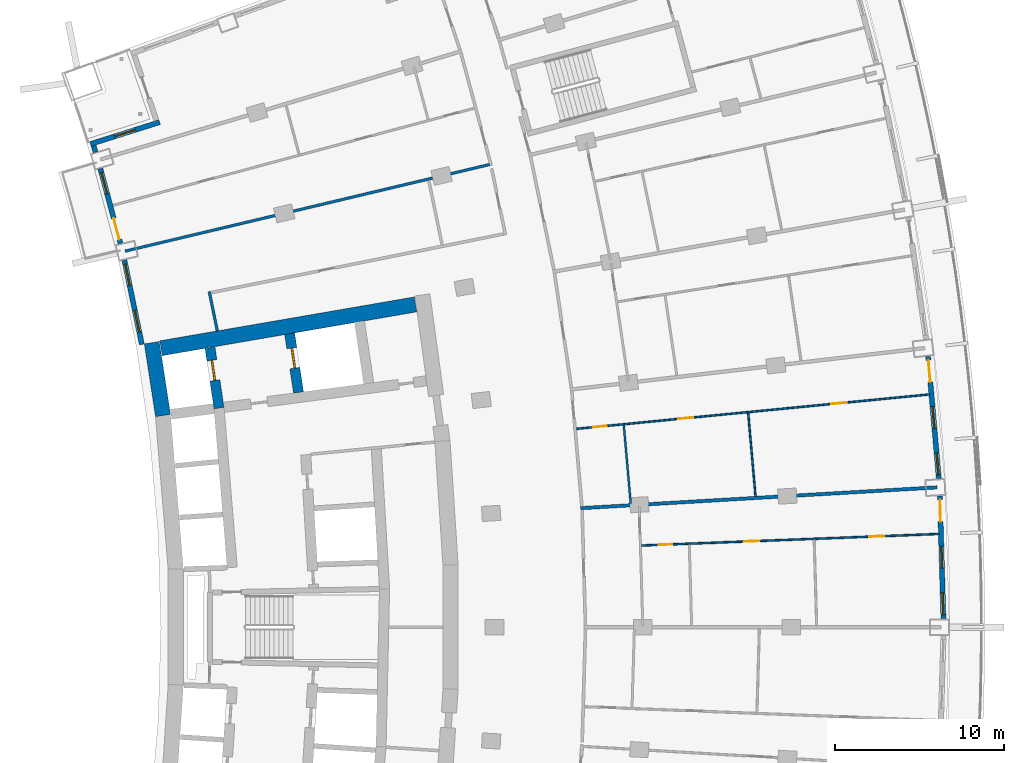
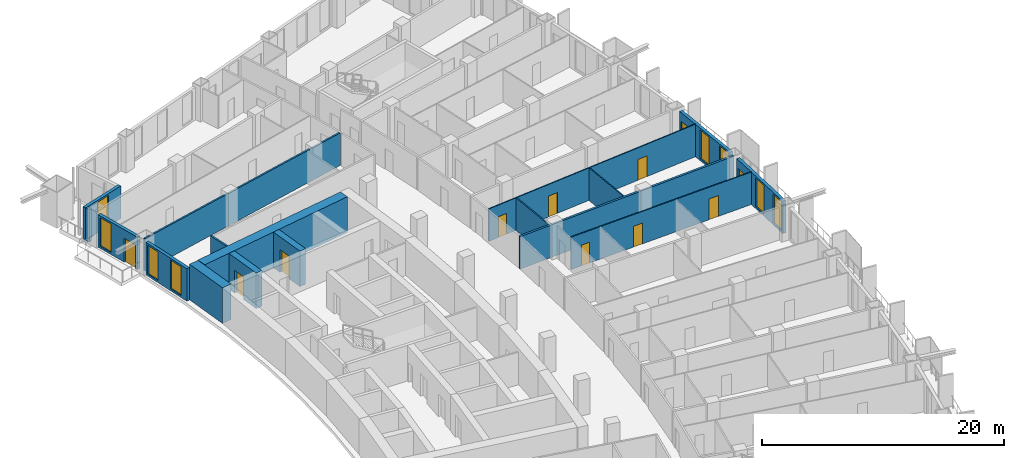
# One storey, part 16 of 23: 17 walls, 11 doors, 8 windows, 19 openings.
"""IFC4 building model written with IfcOpenShell, lengths in metres."""

from ifc_helpers import new_model, si_unit, direction, frame, frame_2d, origin, place, context, subcontext, project, spatial, rectangle, extrude, material, layer, layer_set, type_object, element, fill, save


model = new_model("IFC4")

# Units and contexts
model_context = context("Model", 3, precision=1e-05, world=origin(), true_north=direction((0.0, 1.0)))
body_context = subcontext(model_context, "Body", "Model", "MODEL_VIEW")
ifc_project = project(units=[si_unit("LENGTHUNIT", "METRE"), si_unit("AREAUNIT", "SQUARE_METRE"), si_unit("VOLUMEUNIT", "CUBIC_METRE"), si_unit("PLANEANGLEUNIT", "RADIAN"), si_unit("MASSUNIT", "GRAM", prefix="KILO")], contexts=[model_context])

# Site, building, storey
site_placement = place(None, origin())
site = spatial("IfcSite", under=ifc_project, at=site_placement, CompositionType="ELEMENT")
building_placement = place(site_placement, origin())
building = spatial("IfcBuilding", under=site, at=building_placement, Name="Alderwake Tower", CompositionType="ELEMENT")
storey_placement = place(building_placement, frame((0.0, 0.0, 71.60009765625)))
storey = spatial("IfcBuildingStorey", under=building, at=storey_placement, Name="L17", CompositionType="ELEMENT", Elevation=71.60009765625)

# Walls
ifc_material_1 = material(Name="Concrete C70/85", Category="concrete")
ifc_layer_1 = layer(ifc_material_1, 0.89990234375)
ifc_layer_set_1 = layer_set([ifc_layer_1], Name="Core wall outer 900 C70-85")
wall_type_1 = type_object("IfcWallType", Name="Core wall outer 900 C70-85", PredefinedType="SHEAR", material=ifc_layer_set_1)
wall_1_placement = place(storey_placement, frame((16.1337890625, 73.557373046875, 0.0), z_axis=(0.0, 0.0, 1.0), x_axis=(-0.151956504286, 0.988387181627, 0.0)))
element("IfcWall", 1, at=wall_1_placement, inside=storey, type_object=wall_type_1, Name="Core wall CW.039", PredefinedType="SHEAR", context=body_context, shape_type="SweptSolid", body=[
    extrude(rectangle(XDim=4.373291015625, YDim=0.89990234375, at=frame_2d((2.1865234375, 0.0))), origin(), (0.0, 0.0, 1.0), 3.599853515625),
])
wall_2_placement = place(storey_placement, frame((16.005615234375, 77.548828125, 0.0), z_axis=(0.0, 0.0, 1.0), x_axis=(0.985465815888, 0.169873852363, 0.0)))
element("IfcWall", 2, at=wall_2_placement, inside=storey, type_object=wall_type_1, Name="Core wall CW.053", PredefinedType="SHEAR", context=body_context, shape_type="SweptSolid", body=[
    extrude(rectangle(XDim=15.33056640625, YDim=0.89990234375, at=frame_2d((7.665283203125, 0.0))), origin(), (0.0, 0.0, 1.0), 3.599853515625),
])

# Wall, opening, door
ifc_material_2 = material(Name="Concrete C70/85", Category="concrete")
ifc_layer_2 = layer(ifc_material_2, 0.60009765625)
ifc_layer_set_2 = layer_set([ifc_layer_2], Name="Core wall spine 600 C70-85")
wall_type_2 = type_object("IfcWallType", Name="Core wall spine 600 C70-85", PredefinedType="SHEAR", material=ifc_layer_set_2)
wall_3_placement = place(storey_placement, frame((19.45458984375, 73.99755859375, 0.0), z_axis=(0.0, 0.0, 1.0), x_axis=(-0.147502312715, 0.989061710786, 0.0)))
wall_3 = element("IfcWall", 3, at=wall_3_placement, inside=storey, type_object=wall_type_2, Name="Core wall CW.030", PredefinedType="SHEAR", context=body_context, shape_type="SweptSolid", body=[
    extrude(rectangle(XDim=3.6181640625, YDim=0.60009765625, at=frame_2d((1.80908203125, 0.0))), origin(), (0.0, 0.0, 1.0), 3.599853515625),
])
opening_1_placement = place(wall_3_placement, frame((1.664306640625, 0.0, 0.0)))
opening_1 = element("IfcOpeningElement", 4, at=opening_1_placement, cuts=wall_3, Name="Opening LD-FF1", PredefinedType="OPENING", context=body_context, shape_type="SweptSolid", body=[
    extrude(rectangle(XDim=1.199951171875, YDim=2.300048828125, at=frame_2d((0.60009765625, 1.14990234375))), frame((0.0, 0.31005859375, 0.0), z_axis=(0.0, -1.0, 0.0), x_axis=(1.0, 0.0, 0.0)), (0.0, 0.0, 1.0), 0.6201171875),
])
ifc_material_3 = material(Name="Stainless steel sliding leaf", Category="steel")
door_type_1 = type_object("IfcDoorType", Name="Lift landing door 1200", OperationType="SLIDING_TO_LEFT", PredefinedType="DOOR", material=ifc_material_3)
door_1_placement = place(opening_1_placement, origin())
door_1 = element("IfcDoor", 5, at=door_1_placement, inside=storey, type_object=door_type_1, Name="Lift landing door FF1", OperationType="SLIDING_TO_LEFT", OverallHeight=2.300048828125, OverallWidth=1.199951171875, PredefinedType="DOOR", context=body_context, shape_type="SweptSolid", body=[
    extrude(rectangle(XDim=1.199951171875, YDim=2.300048828125, at=frame_2d((0.60009765625, 1.14990234375))), frame((0.0, 0.050048828125, 0.0), z_axis=(0.0, -1.0, 0.0), x_axis=(1.0, 0.0, 0.0)), (0.0, 0.0, 1.0), 0.10009765625),
])
fill(opening_1, door_1)

wall_4_placement = place(storey_placement, frame((24.173095703125, 74.927734375, 0.0), z_axis=(0.0, 0.0, 1.0), x_axis=(-0.14910953086, 0.988820685365, 0.0)))
wall_4 = element("IfcWall", 6, at=wall_4_placement, inside=storey, type_object=wall_type_2, Name="Core wall CW.044", PredefinedType="SHEAR", context=body_context, shape_type="SweptSolid", body=[
    extrude(rectangle(XDim=3.5234375, YDim=0.60009765625, at=frame_2d((1.76171875, 0.0))), origin(), (0.0, 0.0, 1.0), 3.599853515625),
])
opening_2_placement = place(wall_4_placement, frame((1.4619140625, 0.0, 0.0)))
opening_2 = element("IfcOpeningElement", 7, at=opening_2_placement, cuts=wall_4, Name="Opening LD-FF2", PredefinedType="OPENING", context=body_context, shape_type="SweptSolid", body=[
    extrude(rectangle(XDim=1.199951171875, YDim=2.300048828125, at=frame_2d((0.60009765625, 1.14990234375))), frame((0.0, 0.31005859375, 0.0), z_axis=(0.0, -1.0, 0.0), x_axis=(1.0, 0.0, 0.0)), (0.0, 0.0, 1.0), 0.6201171875),
])
door_2_placement = place(opening_2_placement, origin())
door_2 = element("IfcDoor", 8, at=door_2_placement, inside=storey, type_object=door_type_1, Name="Lift landing door FF2", OperationType="SLIDING_TO_LEFT", OverallHeight=2.300048828125, OverallWidth=1.199951171875, PredefinedType="DOOR", context=body_context, shape_type="SweptSolid", body=[
    extrude(rectangle(XDim=1.199951171875, YDim=2.300048828125, at=frame_2d((0.60009765625, 1.14990234375))), frame((0.0, 0.050048828125, 0.0), z_axis=(0.0, -1.0, 0.0), x_axis=(1.0, 0.0, 0.0)), (0.0, 0.0, 1.0), 0.10009765625),
])
fill(opening_2, door_2)

# Walls
ifc_material_4 = material(Name="Gypsum board on metal studs, rated")
ifc_layer_3 = layer(ifc_material_4, 0.159912109375)
ifc_layer_set_3 = layer_set([ifc_layer_3], Name="Corridor wall 160")
wall_type_3 = type_object("IfcWallType", Name="Corridor wall 160", PredefinedType="PARTITIONING", material=ifc_layer_set_3)
wall_5_placement = place(storey_placement, frame((18.874755859375, 80.910400390625, 0.0), z_axis=(0.0, 0.0, 1.0), x_axis=(0.202312089075, -0.979321100873, 0.0)))
element("IfcWall", 9, at=wall_5_placement, inside=storey, type_object=wall_type_3, Name="WL/L17/W19", PredefinedType="PARTITIONING", context=body_context, shape_type="SweptSolid", body=[
    extrude(rectangle(XDim=2.39306640625, YDim=0.159912109375, at=frame_2d((1.196533203125, 0.0))), origin(), (0.0, 0.0, 1.0), 3.27978515625),
])
wall_6_placement = place(storey_placement, frame((35.502197265625, 88.451416015625, 0.0), z_axis=(0.0, 0.0, 1.0), x_axis=(-0.972894913244, -0.231247676278, 0.0)))
element("IfcWall", 10, at=wall_6_placement, inside=storey, type_object=wall_type_3, Name="WL/L17/W26", PredefinedType="PARTITIONING", context=body_context, shape_type="SweptSolid", body=[
    extrude(rectangle(XDim=22.220458984375, YDim=0.159912109375, at=frame_2d((11.1103515625, 0.0))), origin(), (0.0, 0.0, 1.0), 3.27978515625),
])

# Wall, openings, door, windows
ifc_material_5 = material(Name="Precast concrete C50/60 spandrel panel", Category="concrete")
ifc_layer_4 = layer(ifc_material_5, 0.300048828125)
ifc_layer_set_4 = layer_set([ifc_layer_4], Name="External wall EW1 Precast concrete C50/60 spandrel")
wall_type_4 = type_object("IfcWallType", Name="External wall EW1 Precast concrete C50/60 spandrel", PredefinedType="SOLIDWALL", material=ifc_layer_set_4)
wall_7_placement = place(storey_placement, frame((62.434814453125, 61.5244140625, 0.0), z_axis=(0.0, 0.0, 1.0), x_axis=(-0.029192492368, 0.999573808375, 0.0)))
wall_7 = element("IfcWall", 11, at=wall_7_placement, inside=storey, type_object=wall_type_4, Name="External wall 17", PredefinedType="SOLIDWALL", context=body_context, shape_type="SweptSolid", body=[
    extrude(rectangle(XDim=7.25927734375, YDim=0.300048828125, at=frame_2d((3.629638671875, 0.0))), origin(), (0.0, 0.0, 1.0), 3.27978515625),
])
opening_3_placement = place(wall_7_placement, frame((0.215087890625, 0.0, 0.199951171875)))
opening_3 = element("IfcOpeningElement", 12, at=opening_3_placement, cuts=wall_7, Name="Opening W1", PredefinedType="OPENING", context=body_context, shape_type="SweptSolid", body=[
    extrude(rectangle(XDim=1.300048828125, YDim=2.89990234375, at=frame_2d((0.64990234375, 1.449951171875))), frame((0.0, 0.159912109375, 0.0), z_axis=(0.0, -1.0, 0.0), x_axis=(1.0, 0.0, 0.0)), (0.0, 0.0, 1.0), 0.320068359375),
])
opening_4_placement = place(wall_7_placement, frame((2.9794921875, 0.0, 0.199951171875)))
opening_4 = element("IfcOpeningElement", 13, at=opening_4_placement, cuts=wall_7, Name="Opening W1", PredefinedType="OPENING", context=body_context, shape_type="SweptSolid", body=[
    extrude(rectangle(XDim=1.300048828125, YDim=2.89990234375, at=frame_2d((0.64990234375, 1.449951171875))), frame((0.0, 0.159912109375, 0.0), z_axis=(0.0, -1.0, 0.0), x_axis=(1.0, 0.0, 0.0)), (0.0, 0.0, 1.0), 0.320068359375),
])
opening_5_placement = place(wall_7_placement, frame((5.744140625, 0.0, 0.0)))
opening_5 = element("IfcOpeningElement", 14, at=opening_5_placement, cuts=wall_7, Name="Opening D08", PredefinedType="OPENING", context=body_context, shape_type="SweptSolid", body=[
    extrude(rectangle(XDim=1.300048828125, YDim=2.39990234375, at=frame_2d((0.64990234375, 1.199951171875))), frame((0.0, 0.159912109375, 0.0), z_axis=(0.0, -1.0, 0.0), x_axis=(1.0, 0.0, 0.0)), (0.0, 0.0, 1.0), 0.320068359375),
])
ifc_material_6 = material(Name="Bronze tinted glass in aluminium frame", Category="aluminium")
door_type_2 = type_object("IfcDoorType", Name="Balcony door BD sliding", OperationType="SLIDING_TO_LEFT", PredefinedType="DOOR", material=ifc_material_6)
door_3_placement = place(opening_5_placement, origin())
door_3 = element("IfcDoor", 15, at=door_3_placement, inside=storey, type_object=door_type_2, Name="Door D08", OperationType="SLIDING_TO_LEFT", OverallHeight=2.39990234375, OverallWidth=1.300048828125, PredefinedType="DOOR", context=body_context, shape_type="SweptSolid", body=[
    extrude(rectangle(XDim=1.300048828125, YDim=2.39990234375, at=frame_2d((0.64990234375, 1.199951171875))), frame((0.0, 0.02490234375, 0.0), z_axis=(0.0, -1.0, 0.0), x_axis=(1.0, 0.0, 0.0)), (0.0, 0.0, 1.0), 0.050048828125),
])
fill(opening_5, door_3)
ifc_material_7 = material(Name="Bronze tinted glass in aluminium frame", Category="aluminium")
window_type = type_object("IfcWindowType", Name="Window W1 tall fixed and vent", PartitioningType="DOUBLE_PANEL_VERTICAL", PredefinedType="WINDOW", material=ifc_material_7)
window_1_placement = place(opening_3_placement, origin())
window_1 = element("IfcWindow", 16, at=window_1_placement, inside=storey, type_object=window_type, Name="Window W1 tall fixed and vent", OverallHeight=2.89990234375, OverallWidth=1.300048828125, PartitioningType="DOUBLE_PANEL_VERTICAL", PredefinedType="WINDOW", context=body_context, shape_type="SweptSolid", body=[
    extrude(rectangle(XDim=1.300048828125, YDim=2.89990234375, at=frame_2d((0.64990234375, 1.449951171875))), frame((0.0, 0.030029296875, 0.0), z_axis=(0.0, -1.0, 0.0), x_axis=(1.0, 0.0, 0.0)), (0.0, 0.0, 1.0), 0.06005859375),
])
fill(opening_3, window_1)
window_2_placement = place(opening_4_placement, origin())
window_2 = element("IfcWindow", 17, at=window_2_placement, inside=storey, type_object=window_type, Name="Window W1 tall fixed and vent", OverallHeight=2.89990234375, OverallWidth=1.300048828125, PartitioningType="DOUBLE_PANEL_VERTICAL", PredefinedType="WINDOW", context=body_context, shape_type="SweptSolid", body=[
    extrude(rectangle(XDim=1.300048828125, YDim=2.89990234375, at=frame_2d((0.64990234375, 1.449951171875))), frame((0.0, 0.030029296875, 0.0), z_axis=(0.0, -1.0, 0.0), x_axis=(1.0, 0.0, 0.0)), (0.0, 0.0, 1.0), 0.06005859375),
])
fill(opening_4, window_2)

wall_8_placement = place(storey_placement, frame((62.161865234375, 69.827392578125, 0.0), z_axis=(0.0, 0.0, 1.0), x_axis=(-0.087375550333, 0.996175442984, 0.0)))
wall_8 = element("IfcWall", 18, at=wall_8_placement, inside=storey, type_object=wall_type_4, Name="External wall 18", PredefinedType="SOLIDWALL", context=body_context, shape_type="SweptSolid", body=[
    extrude(rectangle(XDim=7.25927734375, YDim=0.300048828125, at=frame_2d((3.629638671875, 0.0))), origin(), (0.0, 0.0, 1.0), 3.27978515625),
])
opening_6_placement = place(wall_8_placement, frame((0.215087890625, 0.0, 0.199951171875)))
opening_6 = element("IfcOpeningElement", 19, at=opening_6_placement, cuts=wall_8, Name="Opening W1", PredefinedType="OPENING", context=body_context, shape_type="SweptSolid", body=[
    extrude(rectangle(XDim=1.300048828125, YDim=2.89990234375, at=frame_2d((0.64990234375, 1.449951171875))), frame((0.0, 0.159912109375, 0.0), z_axis=(0.0, -1.0, 0.0), x_axis=(1.0, 0.0, 0.0)), (0.0, 0.0, 1.0), 0.320068359375),
])
opening_7_placement = place(wall_8_placement, frame((2.9794921875, 0.0, 0.199951171875)))
opening_7 = element("IfcOpeningElement", 20, at=opening_7_placement, cuts=wall_8, Name="Opening W1", PredefinedType="OPENING", context=body_context, shape_type="SweptSolid", body=[
    extrude(rectangle(XDim=1.300048828125, YDim=2.89990234375, at=frame_2d((0.64990234375, 1.449951171875))), frame((0.0, 0.159912109375, 0.0), z_axis=(0.0, -1.0, 0.0), x_axis=(1.0, 0.0, 0.0)), (0.0, 0.0, 1.0), 0.320068359375),
])
opening_8_placement = place(wall_8_placement, frame((5.744140625, 0.0, 0.0)))
opening_8 = element("IfcOpeningElement", 21, at=opening_8_placement, cuts=wall_8, Name="Opening D09", PredefinedType="OPENING", context=body_context, shape_type="SweptSolid", body=[
    extrude(rectangle(XDim=1.300048828125, YDim=2.39990234375, at=frame_2d((0.64990234375, 1.199951171875))), frame((0.0, 0.159912109375, 0.0), z_axis=(0.0, -1.0, 0.0), x_axis=(1.0, 0.0, 0.0)), (0.0, 0.0, 1.0), 0.320068359375),
])
door_4_placement = place(opening_8_placement, origin())
door_4 = element("IfcDoor", 22, at=door_4_placement, inside=storey, type_object=door_type_2, Name="Door D09", OperationType="SLIDING_TO_LEFT", OverallHeight=2.39990234375, OverallWidth=1.300048828125, PredefinedType="DOOR", context=body_context, shape_type="SweptSolid", body=[
    extrude(rectangle(XDim=1.300048828125, YDim=2.39990234375, at=frame_2d((0.64990234375, 1.199951171875))), frame((0.0, 0.02490234375, 0.0), z_axis=(0.0, -1.0, 0.0), x_axis=(1.0, 0.0, 0.0)), (0.0, 0.0, 1.0), 0.050048828125),
])
fill(opening_8, door_4)
window_3_placement = place(opening_6_placement, origin())
window_3 = element("IfcWindow", 23, at=window_3_placement, inside=storey, type_object=window_type, Name="Window W1 tall fixed and vent", OverallHeight=2.89990234375, OverallWidth=1.300048828125, PartitioningType="DOUBLE_PANEL_VERTICAL", PredefinedType="WINDOW", context=body_context, shape_type="SweptSolid", body=[
    extrude(rectangle(XDim=1.300048828125, YDim=2.89990234375, at=frame_2d((0.64990234375, 1.449951171875))), frame((0.0, 0.030029296875, 0.0), z_axis=(0.0, -1.0, 0.0), x_axis=(1.0, 0.0, 0.0)), (0.0, 0.0, 1.0), 0.06005859375),
])
fill(opening_6, window_3)
window_4_placement = place(opening_7_placement, origin())
window_4 = element("IfcWindow", 24, at=window_4_placement, inside=storey, type_object=window_type, Name="Window W1 tall fixed and vent", OverallHeight=2.89990234375, OverallWidth=1.300048828125, PartitioningType="DOUBLE_PANEL_VERTICAL", PredefinedType="WINDOW", context=body_context, shape_type="SweptSolid", body=[
    extrude(rectangle(XDim=1.300048828125, YDim=2.89990234375, at=frame_2d((0.64990234375, 1.449951171875))), frame((0.0, 0.030029296875, 0.0), z_axis=(0.0, -1.0, 0.0), x_axis=(1.0, 0.0, 0.0)), (0.0, 0.0, 1.0), 0.06005859375),
])
fill(opening_7, window_4)

# Wall
wall_9_placement = place(storey_placement, frame((12.01416015625, 89.5703125, 0.0), z_axis=(0.0, 0.0, 1.0), x_axis=(0.29468230117, -0.955595281161, 0.0)))
element("IfcWall", 25, at=wall_9_placement, inside=storey, type_object=wall_type_4, Name="External wall 32", PredefinedType="SOLIDWALL", context=body_context, shape_type="SweptSolid", body=[
    extrude(rectangle(XDim=0.402587890625, YDim=0.300048828125, at=frame_2d((0.201171875, 0.0))), origin(), (0.0, 0.0, 1.0), 3.27978515625),
])

# Wall, openings, door, window
wall_10_placement = place(storey_placement, frame((12.4130859375, 88.212890625, 0.0), z_axis=(0.0, 0.0, 1.0), x_axis=(0.259495671332, -0.965744270788, 0.0)))
wall_10 = element("IfcWall", 26, at=wall_10_placement, inside=storey, type_object=wall_type_4, Name="External wall 33", PredefinedType="SOLIDWALL", context=body_context, shape_type="SweptSolid", body=[
    extrude(rectangle(XDim=4.599609375, YDim=0.300048828125, at=frame_2d((2.2998046875, 0.0))), origin(), (0.0, 0.0, 1.0), 3.27978515625),
])
opening_9_placement = place(wall_10_placement, frame((0.2412109375, 0.0, 0.199951171875)))
opening_9 = element("IfcOpeningElement", 27, at=opening_9_placement, cuts=wall_10, Name="Opening W1", PredefinedType="OPENING", context=body_context, shape_type="SweptSolid", body=[
    extrude(rectangle(XDim=1.300048828125, YDim=2.89990234375, at=frame_2d((0.64990234375, 1.449951171875))), frame((0.0, 0.159912109375, 0.0), z_axis=(0.0, -1.0, 0.0), x_axis=(1.0, 0.0, 0.0)), (0.0, 0.0, 1.0), 0.320068359375),
])
opening_10_placement = place(wall_10_placement, frame((3.058349609375, 0.0, 0.0)))
opening_10 = element("IfcOpeningElement", 28, at=opening_10_placement, cuts=wall_10, Name="Opening D15", PredefinedType="OPENING", context=body_context, shape_type="SweptSolid", body=[
    extrude(rectangle(XDim=1.300048828125, YDim=2.39990234375, at=frame_2d((0.64990234375, 1.199951171875))), frame((0.0, 0.159912109375, 0.0), z_axis=(0.0, -1.0, 0.0), x_axis=(1.0, 0.0, 0.0)), (0.0, 0.0, 1.0), 0.320068359375),
])
door_5_placement = place(opening_10_placement, origin())
door_5 = element("IfcDoor", 29, at=door_5_placement, inside=storey, type_object=door_type_2, Name="Door D15", OperationType="SLIDING_TO_LEFT", OverallHeight=2.39990234375, OverallWidth=1.300048828125, PredefinedType="DOOR", context=body_context, shape_type="SweptSolid", body=[
    extrude(rectangle(XDim=1.300048828125, YDim=2.39990234375, at=frame_2d((0.64990234375, 1.199951171875))), frame((0.0, 0.02490234375, 0.0), z_axis=(0.0, -1.0, 0.0), x_axis=(1.0, 0.0, 0.0)), (0.0, 0.0, 1.0), 0.050048828125),
])
fill(opening_10, door_5)
window_5_placement = place(opening_9_placement, origin())
window_5 = element("IfcWindow", 30, at=window_5_placement, inside=storey, type_object=window_type, Name="Window W1 tall fixed and vent", OverallHeight=2.89990234375, OverallWidth=1.300048828125, PartitioningType="DOUBLE_PANEL_VERTICAL", PredefinedType="WINDOW", context=body_context, shape_type="SweptSolid", body=[
    extrude(rectangle(XDim=1.300048828125, YDim=2.89990234375, at=frame_2d((0.64990234375, 1.449951171875))), frame((0.0, 0.030029296875, 0.0), z_axis=(0.0, -1.0, 0.0), x_axis=(1.0, 0.0, 0.0)), (0.0, 0.0, 1.0), 0.06005859375),
])
fill(opening_9, window_5)

# Wall, openings, windows
wall_11_placement = place(storey_placement, frame((13.842529296875, 82.77880859375, 0.0), z_axis=(0.0, 0.0, 1.0), x_axis=(0.202738354746, -0.979232944459, 0.0)))
wall_11 = element("IfcWall", 31, at=wall_11_placement, inside=storey, type_object=wall_type_4, Name="External wall 34", PredefinedType="SOLIDWALL", context=body_context, shape_type="SweptSolid", body=[
    extrude(rectangle(XDim=5.1083984375, YDim=0.300048828125, at=frame_2d((2.55419921875, 0.0))), origin(), (0.0, 0.0, 1.0), 3.27978515625),
])
opening_11_placement = place(wall_11_placement, frame((0.239013671875, 0.0, 0.199951171875)))
opening_11 = element("IfcOpeningElement", 32, at=opening_11_placement, cuts=wall_11, Name="Opening W1", PredefinedType="OPENING", context=body_context, shape_type="SweptSolid", body=[
    extrude(rectangle(XDim=1.300048828125, YDim=2.89990234375, at=frame_2d((0.64990234375, 1.449951171875))), frame((0.0, 0.159912109375, 0.0), z_axis=(0.0, -1.0, 0.0), x_axis=(1.0, 0.0, 0.0)), (0.0, 0.0, 1.0), 0.320068359375),
])
opening_12_placement = place(wall_11_placement, frame((3.0517578125, 0.0, 0.199951171875)))
opening_12 = element("IfcOpeningElement", 33, at=opening_12_placement, cuts=wall_11, Name="Opening W1", PredefinedType="OPENING", context=body_context, shape_type="SweptSolid", body=[
    extrude(rectangle(XDim=1.300048828125, YDim=2.89990234375, at=frame_2d((0.64990234375, 1.449951171875))), frame((0.0, 0.159912109375, 0.0), z_axis=(0.0, -1.0, 0.0), x_axis=(1.0, 0.0, 0.0)), (0.0, 0.0, 1.0), 0.320068359375),
])
window_6_placement = place(opening_11_placement, origin())
window_6 = element("IfcWindow", 34, at=window_6_placement, inside=storey, type_object=window_type, Name="Window W1 tall fixed and vent", OverallHeight=2.89990234375, OverallWidth=1.300048828125, PartitioningType="DOUBLE_PANEL_VERTICAL", PredefinedType="WINDOW", context=body_context, shape_type="SweptSolid", body=[
    extrude(rectangle(XDim=1.300048828125, YDim=2.89990234375, at=frame_2d((0.64990234375, 1.449951171875))), frame((0.0, 0.030029296875, 0.0), z_axis=(0.0, -1.0, 0.0), x_axis=(1.0, 0.0, 0.0)), (0.0, 0.0, 1.0), 0.06005859375),
])
fill(opening_11, window_6)
window_7_placement = place(opening_12_placement, origin())
window_7 = element("IfcWindow", 35, at=window_7_placement, inside=storey, type_object=window_type, Name="Window W1 tall fixed and vent", OverallHeight=2.89990234375, OverallWidth=1.300048828125, PartitioningType="DOUBLE_PANEL_VERTICAL", PredefinedType="WINDOW", context=body_context, shape_type="SweptSolid", body=[
    extrude(rectangle(XDim=1.300048828125, YDim=2.89990234375, at=frame_2d((0.64990234375, 1.449951171875))), frame((0.0, 0.030029296875, 0.0), z_axis=(0.0, -1.0, 0.0), x_axis=(1.0, 0.0, 0.0)), (0.0, 0.0, 1.0), 0.06005859375),
])
fill(opening_12, window_7)

# Wall, opening, window
ifc_material_8 = material(Name="Bronze metal cladding on lightweight framing")
ifc_layer_5 = layer(ifc_material_8, 0.300048828125)
ifc_layer_set_5 = layer_set([ifc_layer_5], Name="External wall EW2 bronze metal cladding")
wall_type_5 = type_object("IfcWallType", Name="External wall EW2 bronze metal cladding", PredefinedType="SOLIDWALL", material=ifc_layer_set_5)
wall_12_placement = place(storey_placement, frame((15.932373046875, 90.966552734375, 0.0), z_axis=(0.0, 0.0, 1.0), x_axis=(-0.953473772386, -0.301475978103, 0.0)))
wall_12 = element("IfcWall", 36, at=wall_12_placement, inside=storey, type_object=wall_type_5, Name="External wall 31", PredefinedType="SOLIDWALL", context=body_context, shape_type="SweptSolid", body=[
    extrude(rectangle(XDim=4.305908203125, YDim=0.300048828125, at=frame_2d((2.15283203125, 0.0))), origin(), (0.0, 0.0, 1.0), 3.27978515625),
])
opening_13_placement = place(wall_12_placement, frame((1.5029296875, 0.0, 0.199951171875)))
opening_13 = element("IfcOpeningElement", 37, at=opening_13_placement, cuts=wall_12, Name="Opening W1", PredefinedType="OPENING", context=body_context, shape_type="SweptSolid", body=[
    extrude(rectangle(XDim=1.300048828125, YDim=2.89990234375, at=frame_2d((0.64990234375, 1.449951171875))), frame((0.0, 0.159912109375, 0.0), z_axis=(0.0, -1.0, 0.0), x_axis=(1.0, 0.0, 0.0)), (0.0, 0.0, 1.0), 0.320068359375),
])
window_8_placement = place(opening_13_placement, origin())
window_8 = element("IfcWindow", 38, at=window_8_placement, inside=storey, type_object=window_type, Name="Window W1 tall fixed and vent", OverallHeight=2.89990234375, OverallWidth=1.300048828125, PartitioningType="DOUBLE_PANEL_VERTICAL", PredefinedType="WINDOW", context=body_context, shape_type="SweptSolid", body=[
    extrude(rectangle(XDim=1.300048828125, YDim=2.89990234375, at=frame_2d((0.64990234375, 1.449951171875))), frame((0.0, 0.030029296875, 0.0), z_axis=(0.0, -1.0, 0.0), x_axis=(1.0, 0.0, 0.0)), (0.0, 0.0, 1.0), 0.06005859375),
])
fill(opening_13, window_8)

# Wall
ifc_material_9 = material(Name="Dense block masonry wall", Category="masonry")
ifc_layer_6 = layer(ifc_material_9, 0.199951171875)
ifc_layer_set_6 = layer_set([ifc_layer_6], Name="Party wall 200")
wall_type_6 = type_object("IfcWallType", Name="Party wall 200", PredefinedType="SOLIDWALL", material=ifc_layer_set_6)
wall_13_placement = place(storey_placement, frame((62.05810546875, 69.297119140625, 0.0), z_axis=(0.0, 0.0, 1.0), x_axis=(-0.998298772247, -0.058305757258, 0.0)))
element("IfcWall", 39, at=wall_13_placement, inside=storey, type_object=wall_type_6, Name="WL/L17/W13", PredefinedType="SOLIDWALL", context=body_context, shape_type="SweptSolid", body=[
    extrude(rectangle(XDim=21.17919921875, YDim=0.199951171875, at=frame_2d((10.589599609375, 0.0))), origin(), (0.0, 0.0, 1.0), 3.27978515625),
])

# Wall, openings, doors
ifc_material_10 = material(Name="Gypsum board on metal studs")
ifc_layer_7 = layer(ifc_material_10, 0.10009765625)
ifc_layer_set_7 = layer_set([ifc_layer_7], Name="Unit partition 100")
wall_type_7 = type_object("IfcWallType", Name="Unit partition 100", PredefinedType="PARTITIONING", material=ifc_layer_set_7)
wall_14_placement = place(storey_placement, frame((61.6259765625, 74.81396484375, 0.0), z_axis=(0.0, 0.0, 1.0), x_axis=(-0.995280178021, -0.097043120509, 0.0)))
wall_14 = element("IfcWall", 40, at=wall_14_placement, inside=storey, type_object=wall_type_7, Name="WL/L17/W72", PredefinedType="PARTITIONING", context=body_context, shape_type="SweptSolid", body=[
    extrude(rectangle(XDim=21.064697265625, YDim=0.10009765625, at=frame_2d((10.5322265625, 0.0))), origin(), (0.0, 0.0, 1.0), 3.27978515625),
])
opening_14_placement = place(wall_14_placement, frame((14.088134765625, 0.0, 0.0)))
opening_14 = element("IfcOpeningElement", 41, at=opening_14_placement, cuts=wall_14, Name="Opening R04-U09.1", PredefinedType="OPENING", context=body_context, shape_type="SweptSolid", body=[
    extrude(rectangle(XDim=0.89990234375, YDim=2.10009765625, at=frame_2d((0.449951171875, 1.050048828125))), frame((0.0, 0.06005859375, 0.0), z_axis=(0.0, -1.0, 0.0), x_axis=(1.0, 0.0, 0.0)), (0.0, 0.0, 1.0), 0.1201171875),
])
opening_15_placement = place(wall_14_placement, frame((19.2548828125, 0.0, 0.0)))
opening_15 = element("IfcOpeningElement", 42, at=opening_15_placement, cuts=wall_14, Name="Opening R04-U09.3", PredefinedType="OPENING", context=body_context, shape_type="SweptSolid", body=[
    extrude(rectangle(XDim=0.800048828125, YDim=2.10009765625, at=frame_2d((0.39990234375, 1.050048828125))), frame((0.0, 0.06005859375, 0.0), z_axis=(0.0, -1.0, 0.0), x_axis=(1.0, 0.0, 0.0)), (0.0, 0.0, 1.0), 0.1201171875),
])
opening_16_placement = place(wall_14_placement, frame((4.96630859375, 0.0, 0.0)))
opening_16 = element("IfcOpeningElement", 43, at=opening_16_placement, cuts=wall_14, Name="Opening R04-U09.4", PredefinedType="OPENING", context=body_context, shape_type="SweptSolid", body=[
    extrude(rectangle(XDim=0.89990234375, YDim=2.10009765625, at=frame_2d((0.449951171875, 1.050048828125))), frame((0.0, 0.06005859375, 0.0), z_axis=(0.0, -1.0, 0.0), x_axis=(1.0, 0.0, 0.0)), (0.0, 0.0, 1.0), 0.1201171875),
])
ifc_material_11 = material(Name="Painted timber leaf", Category="wood")
door_type_3 = type_object("IfcDoorType", Name="Bathroom door 800", OperationType="SINGLE_SWING_LEFT", PredefinedType="DOOR", material=ifc_material_11)
door_6_placement = place(opening_15_placement, origin())
door_6 = element("IfcDoor", 44, at=door_6_placement, inside=storey, type_object=door_type_3, Name="DR/L17/U09.3", OperationType="SINGLE_SWING_LEFT", OverallHeight=2.10009765625, OverallWidth=0.800048828125, PredefinedType="DOOR", context=body_context, shape_type="SweptSolid", body=[
    extrude(rectangle(XDim=0.800048828125, YDim=2.10009765625, at=frame_2d((0.39990234375, 1.050048828125))), frame((0.0, 0.02490234375, 0.0), z_axis=(0.0, -1.0, 0.0), x_axis=(1.0, 0.0, 0.0)), (0.0, 0.0, 1.0), 0.050048828125),
])
fill(opening_15, door_6)
ifc_material_12 = material(Name="Painted timber leaf", Category="wood")
door_type_4 = type_object("IfcDoorType", Name="Room door 900", OperationType="SINGLE_SWING_LEFT", PredefinedType="DOOR", material=ifc_material_12)
door_7_placement = place(opening_14_placement, origin())
door_7 = element("IfcDoor", 45, at=door_7_placement, inside=storey, type_object=door_type_4, Name="DR/L17/U09.1", OperationType="SINGLE_SWING_LEFT", OverallHeight=2.10009765625, OverallWidth=0.89990234375, PredefinedType="DOOR", context=body_context, shape_type="SweptSolid", body=[
    extrude(rectangle(XDim=0.89990234375, YDim=2.10009765625, at=frame_2d((0.449951171875, 1.050048828125))), frame((0.0, 0.02490234375, 0.0), z_axis=(0.0, -1.0, 0.0), x_axis=(1.0, 0.0, 0.0)), (0.0, 0.0, 1.0), 0.050048828125),
])
fill(opening_14, door_7)
door_8_placement = place(opening_16_placement, origin())
door_8 = element("IfcDoor", 46, at=door_8_placement, inside=storey, type_object=door_type_4, Name="DR/L17/U09.4", OperationType="SINGLE_SWING_LEFT", OverallHeight=2.10009765625, OverallWidth=0.89990234375, PredefinedType="DOOR", context=body_context, shape_type="SweptSolid", body=[
    extrude(rectangle(XDim=0.89990234375, YDim=2.10009765625, at=frame_2d((0.449951171875, 1.050048828125))), frame((0.0, 0.02490234375, 0.0), z_axis=(0.0, -1.0, 0.0), x_axis=(1.0, 0.0, 0.0)), (0.0, 0.0, 1.0), 0.050048828125),
])
fill(opening_16, door_8)

wall_15_placement = place(storey_placement, frame((62.18994140625, 66.533935546875, 0.0), z_axis=(0.0, 0.0, 1.0), x_axis=(-0.999243408512, -0.038892294155, 0.0)))
wall_15 = element("IfcWall", 47, at=wall_15_placement, inside=storey, type_object=wall_type_7, Name="WL/L17/W77", PredefinedType="PARTITIONING", context=body_context, shape_type="SweptSolid", body=[
    extrude(rectangle(XDim=17.683349609375, YDim=0.10009765625, at=frame_2d((8.841796875, 0.0))), origin(), (0.0, 0.0, 1.0), 3.27978515625),
])
opening_17_placement = place(wall_15_placement, frame((10.68896484375, 0.0, 0.0)))
opening_17 = element("IfcOpeningElement", 48, at=opening_17_placement, cuts=wall_15, Name="Opening R04-U08.1", PredefinedType="OPENING", context=body_context, shape_type="SweptSolid", body=[
    extrude(rectangle(XDim=0.89990234375, YDim=2.10009765625, at=frame_2d((0.449951171875, 1.050048828125))), frame((0.0, 0.06005859375, 0.0), z_axis=(0.0, -1.0, 0.0), x_axis=(1.0, 0.0, 0.0)), (0.0, 0.0, 1.0), 0.1201171875),
])
opening_18_placement = place(wall_15_placement, frame((15.864501953125, 0.0, 0.0)))
opening_18 = element("IfcOpeningElement", 49, at=opening_18_placement, cuts=wall_15, Name="Opening R04-U08.4", PredefinedType="OPENING", context=body_context, shape_type="SweptSolid", body=[
    extrude(rectangle(XDim=0.800048828125, YDim=2.10009765625, at=frame_2d((0.39990234375, 1.050048828125))), frame((0.0, 0.06005859375, 0.0), z_axis=(0.0, -1.0, 0.0), x_axis=(1.0, 0.0, 0.0)), (0.0, 0.0, 1.0), 0.1201171875),
])
opening_19_placement = place(wall_15_placement, frame((3.2666015625, 0.0, 0.0)))
opening_19 = element("IfcOpeningElement", 50, at=opening_19_placement, cuts=wall_15, Name="Opening R04-U08.5", PredefinedType="OPENING", context=body_context, shape_type="SweptSolid", body=[
    extrude(rectangle(XDim=0.89990234375, YDim=2.10009765625, at=frame_2d((0.449951171875, 1.050048828125))), frame((0.0, 0.06005859375, 0.0), z_axis=(0.0, -1.0, 0.0), x_axis=(1.0, 0.0, 0.0)), (0.0, 0.0, 1.0), 0.1201171875),
])
door_9_placement = place(opening_18_placement, origin())
door_9 = element("IfcDoor", 51, at=door_9_placement, inside=storey, type_object=door_type_3, Name="DR/L17/U08.4", OperationType="SINGLE_SWING_LEFT", OverallHeight=2.10009765625, OverallWidth=0.800048828125, PredefinedType="DOOR", context=body_context, shape_type="SweptSolid", body=[
    extrude(rectangle(XDim=0.800048828125, YDim=2.10009765625, at=frame_2d((0.39990234375, 1.050048828125))), frame((0.0, 0.02490234375, 0.0), z_axis=(0.0, -1.0, 0.0), x_axis=(1.0, 0.0, 0.0)), (0.0, 0.0, 1.0), 0.050048828125),
])
fill(opening_18, door_9)
door_10_placement = place(opening_17_placement, origin())
door_10 = element("IfcDoor", 52, at=door_10_placement, inside=storey, type_object=door_type_4, Name="DR/L17/U08.1", OperationType="SINGLE_SWING_LEFT", OverallHeight=2.10009765625, OverallWidth=0.89990234375, PredefinedType="DOOR", context=body_context, shape_type="SweptSolid", body=[
    extrude(rectangle(XDim=0.89990234375, YDim=2.10009765625, at=frame_2d((0.449951171875, 1.050048828125))), frame((0.0, 0.02490234375, 0.0), z_axis=(0.0, -1.0, 0.0), x_axis=(1.0, 0.0, 0.0)), (0.0, 0.0, 1.0), 0.050048828125),
])
fill(opening_17, door_10)
door_11_placement = place(opening_19_placement, origin())
door_11 = element("IfcDoor", 53, at=door_11_placement, inside=storey, type_object=door_type_4, Name="DR/L17/U08.5", OperationType="SINGLE_SWING_LEFT", OverallHeight=2.10009765625, OverallWidth=0.89990234375, PredefinedType="DOOR", context=body_context, shape_type="SweptSolid", body=[
    extrude(rectangle(XDim=0.89990234375, YDim=2.10009765625, at=frame_2d((0.449951171875, 1.050048828125))), frame((0.0, 0.02490234375, 0.0), z_axis=(0.0, -1.0, 0.0), x_axis=(1.0, 0.0, 0.0)), (0.0, 0.0, 1.0), 0.050048828125),
])
fill(opening_19, door_11)

# Walls
wall_16_placement = place(storey_placement, frame((51.285400390625, 68.7666015625, 0.0), z_axis=(0.0, 0.0, 1.0), x_axis=(-0.087453109997, 0.996168637105, 0.0)))
element("IfcWall", 54, at=wall_16_placement, inside=storey, type_object=wall_type_7, Name="WL/L17/W84", PredefinedType="PARTITIONING", context=body_context, shape_type="SweptSolid", body=[
    extrude(rectangle(XDim=4.963623046875, YDim=0.10009765625, at=frame_2d((2.48193359375, 0.0))), origin(), (0.0, 0.0, 1.0), 3.27978515625),
])
ifc_material_13 = material(Name="Moisture resistant gypsum board on metal studs")
ifc_layer_8 = layer(ifc_material_13, 0.1201171875)
ifc_layer_set_8 = layer_set([ifc_layer_8], Name="Wet room partition 120")
wall_type_8 = type_object("IfcWallType", Name="Wet room partition 120", PredefinedType="PARTITIONING", material=ifc_layer_set_8)
wall_17_placement = place(storey_placement, frame((43.881103515625, 68.334716796875, 0.0), z_axis=(0.0, 0.0, 1.0), x_axis=(-0.087639255618, 0.996152277955, 0.0)))
element("IfcWall", 55, at=wall_17_placement, inside=storey, type_object=wall_type_8, Name="WL/L17/W59", PredefinedType="PARTITIONING", context=body_context, shape_type="SweptSolid", body=[
    extrude(rectangle(XDim=4.674560546875, YDim=0.1201171875, at=frame_2d((2.33740234375, 0.0))), origin(), (0.0, 0.0, 1.0), 3.27978515625),
])

save(model, "model.ifc")
